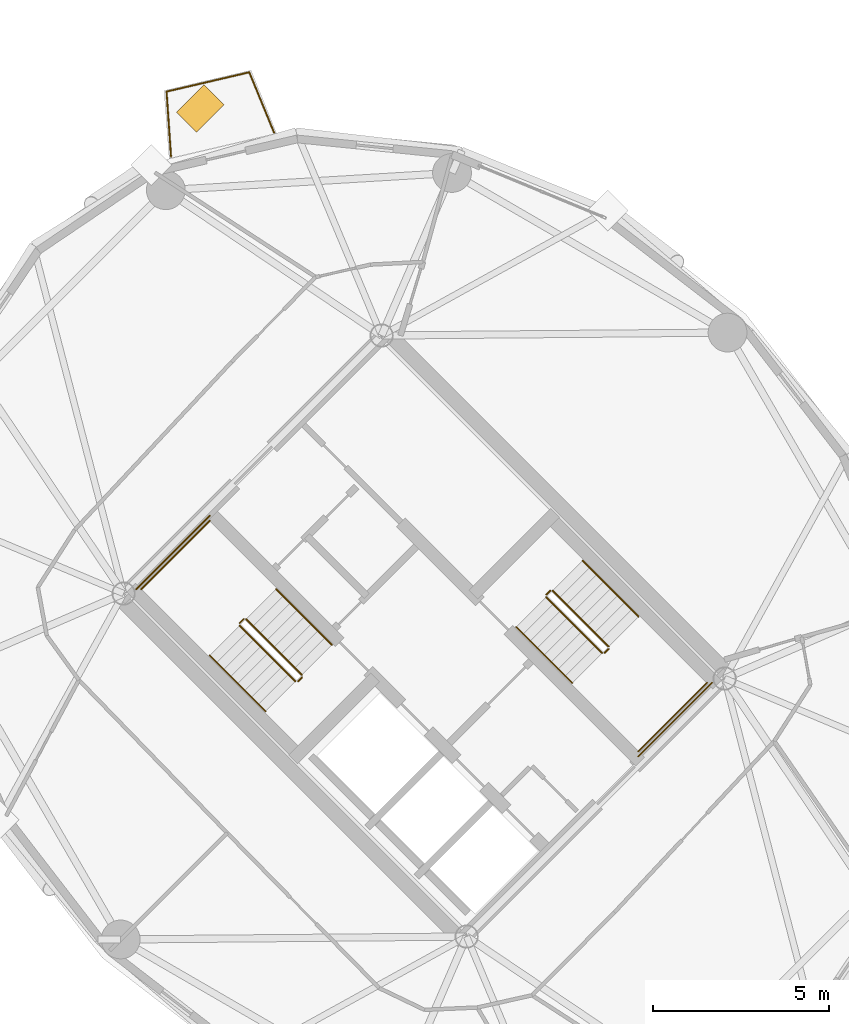
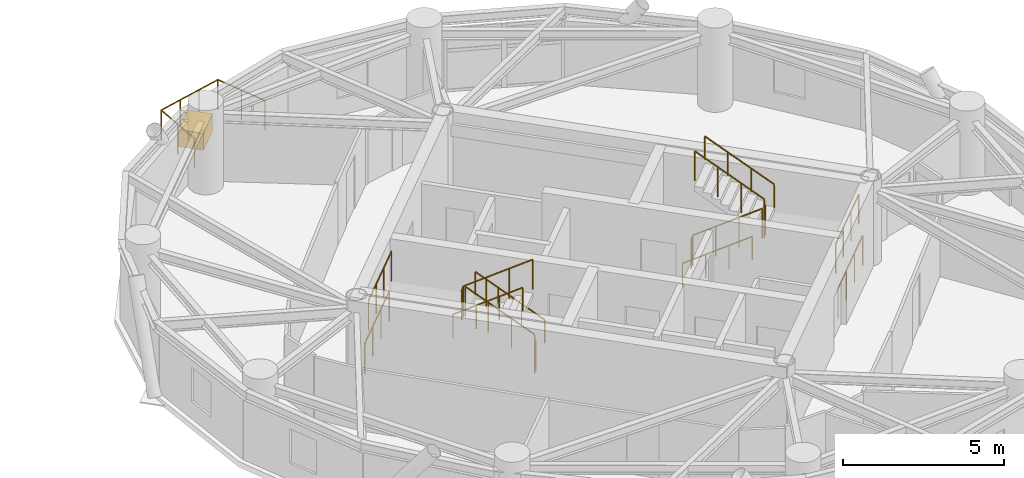
# One storey, part 14 of 15: 17 railings, 1 covering.
"""IFC4 building model written with IfcOpenShell, lengths in metres."""

from ifc_helpers import new_model, si_unit, direction, frame, origin, origin_2d, place, context, subcontext, project, spatial, rectangle, circle, extrude, source, transform, mapped, material, layer, layer_set, type_object, element, save


model = new_model("IFC4")

# Units and contexts
model_context = context("Model", 3, precision=1e-05, world=origin(), true_north=direction((0.0, 1.0)))
body_context = subcontext(model_context, "Body", "Model", "MODEL_VIEW")
ifc_project = project(units=[si_unit("LENGTHUNIT", "METRE"), si_unit("AREAUNIT", "SQUARE_METRE"), si_unit("VOLUMEUNIT", "CUBIC_METRE"), si_unit("PLANEANGLEUNIT", "RADIAN"), si_unit("MASSUNIT", "GRAM", prefix="KILO")], contexts=[model_context])

# Site, building, storey
site_placement = place(None, origin())
site = spatial("IfcSite", under=ifc_project, at=site_placement, CompositionType="ELEMENT")
building_placement = place(site_placement, origin())
building = spatial("IfcBuilding", under=site, at=building_placement, Name="Cununo Teusaquillo Station Towers", CompositionType="ELEMENT")
storey_placement = place(building_placement, frame((0.0, 0.0, 232.449951171875)))
storey = spatial("IfcBuildingStorey", under=building, at=storey_placement, Name="L74", CompositionType="ELEMENT", Elevation=232.449951171875)

# Railings
ifc_material_1 = material(Name="Anodised dark bronze aluminium EN AW-6063-T6", Category="aluminium")
railing_type_1 = type_object("IfcRailingType", Name="RL-EXT-GUARD", PredefinedType="GUARDRAIL", material=ifc_material_1)
railing_1_placement = place(storey_placement, frame((50.320556640625, 38.0986328125, 0.0)))
element("IfcRailing", 1, at=railing_1_placement, inside=storey, type_object=railing_type_1, Name="L74 Tower B Balcony Guardrail C03", PredefinedType="GUARDRAIL", context=body_context, shape_type="SweptSolid", body=[
    extrude(circle(Radius=0.02392578125, at=origin_2d()), frame((0.0, 0.0, 1.1259765625), z_axis=(-0.068657089116, 0.997640318007, 0.0), x_axis=(-0.997640318007, -0.068657089116, 0.0)), (0.0, 0.0, 1.0), 1.84912109375),
    extrude(circle(Radius=0.02392578125, at=origin_2d()), frame((-0.126953125, 1.8447265625, 1.1259765625), z_axis=(0.973841956979, 0.227226413139, 0.0), x_axis=(-0.227226413139, 0.973841956979, 0.0)), (0.0, 0.0, 1.0), 2.409912109375),
    extrude(circle(Radius=0.02392578125, at=origin_2d()), frame((2.219970703125, 2.392333984375, 1.1259765625), z_axis=(0.379912800848, -0.925022304462, 0.0), x_axis=(0.925022304462, 0.379912800848, 0.0)), (0.0, 0.0, 1.0), 1.848876953125),
    extrude(circle(Radius=0.02099609375, at=origin_2d()), origin(), (0.0, 0.0, 1.0), 1.101806640625),
    extrude(circle(Radius=0.02099609375, at=origin_2d()), frame((-0.0634765625, 0.92236328125, 0.0)), (0.0, 0.0, 1.0), 1.101806640625),
    extrude(circle(Radius=0.02099609375, at=origin_2d()), frame((-0.126953125, 1.8447265625, 0.0)), (0.0, 0.0, 1.0), 1.101806640625),
    extrude(circle(Radius=0.02099609375, at=origin_2d()), frame((0.6552734375, 2.02734375, 0.0)), (0.0, 0.0, 1.0), 1.101806640625),
    extrude(circle(Radius=0.02099609375, at=origin_2d()), frame((1.437744140625, 2.209716796875, 0.0)), (0.0, 0.0, 1.0), 1.101806640625),
    extrude(circle(Radius=0.02099609375, at=origin_2d()), frame((2.219970703125, 2.392333984375, 0.0)), (0.0, 0.0, 1.0), 1.101806640625),
    extrude(circle(Radius=0.02099609375, at=origin_2d()), frame((2.5712890625, 1.537109375, 0.0)), (0.0, 0.0, 1.0), 1.101806640625),
    extrude(circle(Radius=0.02099609375, at=origin_2d()), frame((2.92236328125, 0.68212890625, 0.0)), (0.0, 0.0, 1.0), 1.101806640625),
])
ifc_material_2 = material(Name="Steel EN 10025-2 S355J2", Category="steel")
railing_type_2 = type_object("IfcRailingType", Name="RL-INT-GUARD", PredefinedType="GUARDRAIL", material=ifc_material_2)
railing_2_placement = place(storey_placement, frame((54.03515625, 23.39697265625, 0.177734375)))
element("IfcRailing", 2, at=railing_2_placement, inside=storey, type_object=railing_type_2, Name="L74 ST-T2-1 stair guard 1", PredefinedType="GUARDRAIL", context=body_context, shape_type="SweptSolid", body=[
    extrude(circle(Radius=0.02392578125, at=origin_2d()), frame((0.0, 0.0, 1.1259765625), z_axis=(-0.596912214206, 0.596912214206, 0.536089187601), x_axis=(-0.707106781187, -0.707106781187, 0.0)), (0.0, 0.0, 1.0), 2.6533203125),
    extrude(circle(Radius=0.02099609375, at=origin_2d()), origin(), (0.0, 0.0, 1.0), 1.101806640625),
    extrude(circle(Radius=0.02099609375, at=origin_2d()), frame((-0.52783203125, 0.52783203125, 0.47412109375)), (0.0, 0.0, 1.0), 1.101806640625),
    extrude(circle(Radius=0.02099609375, at=origin_2d()), frame((-1.055908203125, 1.055908203125, 0.9482421875)), (0.0, 0.0, 1.0), 1.101806640625),
    extrude(circle(Radius=0.02099609375, at=origin_2d()), frame((-1.583740234375, 1.583740234375, 1.42236328125)), (0.0, 0.0, 1.0), 1.101806640625),
])
railing_3_placement = place(storey_placement, frame((52.380615234375, 24.980712890625, 1.60009765625)))
element("IfcRailing", 3, at=railing_3_placement, inside=storey, type_object=railing_type_2, Name="L74 ST-T2-1 stair guard 2", PredefinedType="GUARDRAIL", context=body_context, shape_type="SweptSolid", body=[
    extrude(circle(Radius=0.02392578125, at=origin_2d()), frame((0.0, 0.0, 1.1259765625), z_axis=(-0.7078691598, -0.706343579714, 0.0), x_axis=(0.706343579714, -0.7078691598, 0.0)), (0.0, 0.0, 1.0), 0.159912109375),
    extrude(circle(Radius=0.02099609375, at=origin_2d()), origin(), (0.0, 0.0, 1.0), 1.101806640625),
    extrude(circle(Radius=0.02099609375, at=origin_2d()), frame((-0.11328125, -0.113037109375, 0.0)), (0.0, 0.0, 1.0), 1.101806640625),
])
railing_4_placement = place(storey_placement, frame((51.426025390625, 27.77392578125, 1.60009765625)))
element("IfcRailing", 4, at=railing_4_placement, inside=storey, type_object=railing_type_2, Name="L74 ST-T2-1 stair guard 3", PredefinedType="GUARDRAIL", context=body_context, shape_type="SweptSolid", body=[
    extrude(circle(Radius=0.02392578125, at=origin_2d()), frame((0.0, 0.0, 1.1259765625), z_axis=(-0.707106781187, -0.707106781187, 0.0), x_axis=(0.707106781187, -0.707106781187, 0.0)), (0.0, 0.0, 1.0), 2.760009765625),
    extrude(circle(Radius=0.02099609375, at=origin_2d()), origin(), (0.0, 0.0, 1.0), 1.101806640625),
    extrude(circle(Radius=0.02099609375, at=origin_2d()), frame((-0.650634765625, -0.650634765625, 0.0)), (0.0, 0.0, 1.0), 1.101806640625),
    extrude(circle(Radius=0.02099609375, at=origin_2d()), frame((-1.301025390625, -1.301025390625, 0.0)), (0.0, 0.0, 1.0), 1.101806640625),
    extrude(circle(Radius=0.02099609375, at=origin_2d()), frame((-1.95166015625, -1.95166015625, 0.0)), (0.0, 0.0, 1.0), 1.101806640625),
])
railing_5_placement = place(storey_placement, frame((52.267333984375, 24.796875, 1.77783203125)))
element("IfcRailing", 5, at=railing_5_placement, inside=storey, type_object=railing_type_2, Name="L74 ST-T2-1 stair guard 4", PredefinedType="GUARDRAIL", context=body_context, shape_type="SweptSolid", body=[
    extrude(circle(Radius=0.02392578125, at=origin_2d()), frame((0.0, 0.0, 1.1259765625), z_axis=(0.597000884588, -0.596908868422, 0.535994166573), x_axis=(0.707052281454, 0.707161276719, 0.0)), (0.0, 0.0, 1.0), 2.6533203125),
    extrude(circle(Radius=0.02099609375, at=origin_2d()), origin(), (0.0, 0.0, 1.0), 1.101806640625),
    extrude(circle(Radius=0.02099609375, at=origin_2d()), frame((0.528076171875, -0.52783203125, 0.47412109375)), (0.0, 0.0, 1.0), 1.101806640625),
    extrude(circle(Radius=0.02099609375, at=origin_2d()), frame((1.055908203125, -1.055908203125, 0.947998046875)), (0.0, 0.0, 1.0), 1.101806640625),
    extrude(circle(Radius=0.02099609375, at=origin_2d()), frame((1.583984375, -1.583740234375, 1.422119140625)), (0.0, 0.0, 1.0), 1.101806640625),
])
railing_6_placement = place(storey_placement, frame((54.03515625, 23.326171875, 0.0)))
element("IfcRailing", 6, at=railing_6_placement, inside=storey, type_object=railing_type_2, Name="L74 ST-T2-1 stair guard 5", PredefinedType="GUARDRAIL", context=body_context, shape_type="SweptSolid", body=[
    extrude(circle(Radius=0.02392578125, at=origin_2d()), frame((0.0, 0.0, 1.1259765625), z_axis=(-0.707106781187, -0.707106781187, 0.0), x_axis=(0.707106781187, -0.707106781187, 0.0)), (0.0, 0.0, 1.0), 0.159912109375),
    extrude(circle(Radius=0.02099609375, at=origin_2d()), origin(), (0.0, 0.0, 1.0), 1.101806640625),
    extrude(circle(Radius=0.02099609375, at=origin_2d()), frame((-0.113037109375, -0.113037109375, 0.0)), (0.0, 0.0, 1.0), 1.101806640625),
])
railing_7_placement = place(storey_placement, frame((51.426025390625, 27.915283203125, 0.0)))
element("IfcRailing", 7, at=railing_7_placement, inside=storey, type_object=railing_type_2, Name="L74 ST-T2-1 stair guard 6", PredefinedType="GUARDRAIL", context=body_context, shape_type="SweptSolid", body=[
    extrude(circle(Radius=0.02392578125, at=origin_2d()), frame((0.0, 0.0, 1.1259765625), z_axis=(-0.707106781187, -0.707106781187, 0.0), x_axis=(0.707106781187, -0.707106781187, 0.0)), (0.0, 0.0, 1.0), 2.9599609375),
    extrude(circle(Radius=0.02099609375, at=origin_2d()), origin(), (0.0, 0.0, 1.0), 1.101806640625),
    extrude(circle(Radius=0.02099609375, at=origin_2d()), frame((-0.69775390625, -0.69775390625, 0.0)), (0.0, 0.0, 1.0), 1.101806640625),
    extrude(circle(Radius=0.02099609375, at=origin_2d()), frame((-1.395263671875, -1.395263671875, 0.0)), (0.0, 0.0, 1.0), 1.101806640625),
    extrude(circle(Radius=0.02099609375, at=origin_2d()), frame((-2.093017578125, -2.093017578125, 0.0)), (0.0, 0.0, 1.0), 1.101806640625),
])
railing_8_placement = place(storey_placement, frame((60.96484375, 25.60302734375, 0.177734375)))
element("IfcRailing", 8, at=railing_8_placement, inside=storey, type_object=railing_type_2, Name="L74 ST-T2-2 stair guard 1", PredefinedType="GUARDRAIL", context=body_context, shape_type="SweptSolid", body=[
    extrude(circle(Radius=0.02392578125, at=origin_2d()), frame((0.0, 0.0, 1.1259765625), z_axis=(0.596912214206, -0.596912214206, 0.536089187601), x_axis=(0.707106781187, 0.707106781187, 0.0)), (0.0, 0.0, 1.0), 2.6533203125),
    extrude(circle(Radius=0.02099609375, at=origin_2d()), origin(), (0.0, 0.0, 1.0), 1.101806640625),
    extrude(circle(Radius=0.02099609375, at=origin_2d()), frame((0.52783203125, -0.52783203125, 0.47412109375)), (0.0, 0.0, 1.0), 1.101806640625),
    extrude(circle(Radius=0.02099609375, at=origin_2d()), frame((1.055908203125, -1.055908203125, 0.9482421875)), (0.0, 0.0, 1.0), 1.101806640625),
    extrude(circle(Radius=0.02099609375, at=origin_2d()), frame((1.583740234375, -1.583740234375, 1.42236328125)), (0.0, 0.0, 1.0), 1.101806640625),
])
railing_9_placement = place(storey_placement, frame((62.619384765625, 24.019287109375, 1.60009765625)))
element("IfcRailing", 9, at=railing_9_placement, inside=storey, type_object=railing_type_2, Name="L74 ST-T2-2 stair guard 2", PredefinedType="GUARDRAIL", context=body_context, shape_type="SweptSolid", body=[
    extrude(circle(Radius=0.02392578125, at=origin_2d()), frame((0.0, 0.0, 1.1259765625), z_axis=(0.7078691598, 0.706343579714, 0.0), x_axis=(-0.706343579714, 0.7078691598, 0.0)), (0.0, 0.0, 1.0), 0.159912109375),
    extrude(circle(Radius=0.02099609375, at=origin_2d()), origin(), (0.0, 0.0, 1.0), 1.101806640625),
    extrude(circle(Radius=0.02099609375, at=origin_2d()), frame((0.11328125, 0.113037109375, 0.0)), (0.0, 0.0, 1.0), 1.101806640625),
])
railing_10_placement = place(storey_placement, frame((63.573974609375, 21.22607421875, 1.60009765625)))
element("IfcRailing", 10, at=railing_10_placement, inside=storey, type_object=railing_type_2, Name="L74 ST-T2-2 stair guard 3", PredefinedType="GUARDRAIL", context=body_context, shape_type="SweptSolid", body=[
    extrude(circle(Radius=0.02392578125, at=origin_2d()), frame((0.0, 0.0, 1.1259765625), z_axis=(0.707106781187, 0.707106781187, 0.0), x_axis=(-0.707106781187, 0.707106781187, 0.0)), (0.0, 0.0, 1.0), 2.760009765625),
    extrude(circle(Radius=0.02099609375, at=origin_2d()), origin(), (0.0, 0.0, 1.0), 1.101806640625),
    extrude(circle(Radius=0.02099609375, at=origin_2d()), frame((0.650634765625, 0.650634765625, 0.0)), (0.0, 0.0, 1.0), 1.101806640625),
    extrude(circle(Radius=0.02099609375, at=origin_2d()), frame((1.301025390625, 1.301025390625, 0.0)), (0.0, 0.0, 1.0), 1.101806640625),
    extrude(circle(Radius=0.02099609375, at=origin_2d()), frame((1.95166015625, 1.95166015625, 0.0)), (0.0, 0.0, 1.0), 1.101806640625),
])
railing_11_placement = place(storey_placement, frame((62.732666015625, 24.203125, 1.77783203125)))
element("IfcRailing", 11, at=railing_11_placement, inside=storey, type_object=railing_type_2, Name="L74 ST-T2-2 stair guard 4", PredefinedType="GUARDRAIL", context=body_context, shape_type="SweptSolid", body=[
    extrude(circle(Radius=0.02392578125, at=origin_2d()), frame((0.0, 0.0, 1.1259765625), z_axis=(-0.597000884588, 0.596908868422, 0.535994166573), x_axis=(-0.707052281454, -0.707161276719, 0.0)), (0.0, 0.0, 1.0), 2.6533203125),
    extrude(circle(Radius=0.02099609375, at=origin_2d()), origin(), (0.0, 0.0, 1.0), 1.101806640625),
    extrude(circle(Radius=0.02099609375, at=origin_2d()), frame((-0.528076171875, 0.52783203125, 0.47412109375)), (0.0, 0.0, 1.0), 1.101806640625),
    extrude(circle(Radius=0.02099609375, at=origin_2d()), frame((-1.055908203125, 1.055908203125, 0.947998046875)), (0.0, 0.0, 1.0), 1.101806640625),
    extrude(circle(Radius=0.02099609375, at=origin_2d()), frame((-1.583984375, 1.583740234375, 1.422119140625)), (0.0, 0.0, 1.0), 1.101806640625),
])
railing_12_placement = place(storey_placement, frame((60.96484375, 25.673828125, 0.0)))
element("IfcRailing", 12, at=railing_12_placement, inside=storey, type_object=railing_type_2, Name="L74 ST-T2-2 stair guard 5", PredefinedType="GUARDRAIL", context=body_context, shape_type="SweptSolid", body=[
    extrude(circle(Radius=0.02392578125, at=origin_2d()), frame((0.0, 0.0, 1.1259765625), z_axis=(0.707106781187, 0.707106781187, 0.0), x_axis=(-0.707106781187, 0.707106781187, 0.0)), (0.0, 0.0, 1.0), 0.159912109375),
    extrude(circle(Radius=0.02099609375, at=origin_2d()), origin(), (0.0, 0.0, 1.0), 1.101806640625),
    extrude(circle(Radius=0.02099609375, at=origin_2d()), frame((0.113037109375, 0.113037109375, 0.0)), (0.0, 0.0, 1.0), 1.101806640625),
])
railing_13_placement = place(storey_placement, frame((63.573974609375, 21.084716796875, 0.0)))
element("IfcRailing", 13, at=railing_13_placement, inside=storey, type_object=railing_type_2, Name="L74 ST-T2-2 stair guard 6", PredefinedType="GUARDRAIL", context=body_context, shape_type="SweptSolid", body=[
    extrude(circle(Radius=0.02392578125, at=origin_2d()), frame((0.0, 0.0, 1.1259765625), z_axis=(0.707106781187, 0.707106781187, 0.0), x_axis=(-0.707106781187, 0.707106781187, 0.0)), (0.0, 0.0, 1.0), 2.9599609375),
    extrude(circle(Radius=0.02099609375, at=origin_2d()), origin(), (0.0, 0.0, 1.0), 1.101806640625),
    extrude(circle(Radius=0.02099609375, at=origin_2d()), frame((0.69775390625, 0.69775390625, 0.0)), (0.0, 0.0, 1.0), 1.101806640625),
    extrude(circle(Radius=0.02099609375, at=origin_2d()), frame((1.395263671875, 1.395263671875, 0.0)), (0.0, 0.0, 1.0), 1.101806640625),
    extrude(circle(Radius=0.02099609375, at=origin_2d()), frame((2.093017578125, 2.093017578125, 0.0)), (0.0, 0.0, 1.0), 1.101806640625),
])
ifc_material_3 = material(Name="Steel EN 10025-2 S355J2", Category="steel")
railing_type_3 = type_object("IfcRailingType", Name="RL-INT-HRAIL", PredefinedType="HANDRAIL", material=ifc_material_3)
railing_14_placement = place(storey_placement, frame((54.8837890625, 24.245361328125, 0.177734375)))
element("IfcRailing", 14, at=railing_14_placement, inside=storey, type_object=railing_type_3, Name="L74 ST-T2-1 stair handrail 1", PredefinedType="HANDRAIL", context=body_context, shape_type="SweptSolid", body=[
    extrude(circle(Radius=0.02392578125, at=origin_2d()), frame((0.0, 0.0, 0.8759765625), z_axis=(-0.596938654672, 0.596938654672, 0.536030302423), x_axis=(-0.707106781187, -0.707106781187, 0.0)), (0.0, 0.0, 1.0), 2.653564453125),
    extrude(circle(Radius=0.02099609375, at=origin_2d()), origin(), (0.0, 0.0, 1.0), 0.851806640625),
    extrude(circle(Radius=0.02099609375, at=origin_2d()), frame((-0.528076171875, 0.528076171875, 0.47412109375)), (0.0, 0.0, 1.0), 0.851806640625),
    extrude(circle(Radius=0.02099609375, at=origin_2d()), frame((-1.055908203125, 1.055908203125, 0.9482421875)), (0.0, 0.0, 1.0), 0.851806640625),
    extrude(circle(Radius=0.02099609375, at=origin_2d()), frame((-1.583984375, 1.583984375, 1.42236328125)), (0.0, 0.0, 1.0), 0.851806640625),
])
railing_15_placement = place(storey_placement, frame((51.4189453125, 23.948486328125, 1.77783203125)))
element("IfcRailing", 15, at=railing_15_placement, inside=storey, type_object=railing_type_3, Name="L74 ST-T2-1 stair handrail 2", PredefinedType="HANDRAIL", context=body_context, shape_type="SweptSolid", body=[
    extrude(circle(Radius=0.02392578125, at=origin_2d()), frame((0.0, 0.0, 0.8759765625), z_axis=(0.59696809433, -0.59696809433, 0.535964727108), x_axis=(0.707106781187, 0.707106781187, 0.0)), (0.0, 0.0, 1.0), 2.6533203125),
    extrude(circle(Radius=0.02099609375, at=origin_2d()), origin(), (0.0, 0.0, 1.0), 0.851806640625),
    extrude(circle(Radius=0.02099609375, at=origin_2d()), frame((0.528076171875, -0.528076171875, 0.47412109375)), (0.0, 0.0, 1.0), 0.851806640625),
    extrude(circle(Radius=0.02099609375, at=origin_2d()), frame((1.055908203125, -1.055908203125, 0.947998046875)), (0.0, 0.0, 1.0), 0.851806640625),
    extrude(circle(Radius=0.02099609375, at=origin_2d()), frame((1.583984375, -1.583984375, 1.422119140625)), (0.0, 0.0, 1.0), 0.851806640625),
])
railing_16_placement = place(storey_placement, frame((60.1162109375, 24.754638671875, 0.177734375)))
element("IfcRailing", 16, at=railing_16_placement, inside=storey, type_object=railing_type_3, Name="L74 ST-T2-2 stair handrail 1", PredefinedType="HANDRAIL", context=body_context, shape_type="SweptSolid", body=[
    extrude(circle(Radius=0.02392578125, at=origin_2d()), frame((0.0, 0.0, 0.8759765625), z_axis=(0.596938654672, -0.596938654672, 0.536030302423), x_axis=(0.707106781187, 0.707106781187, 0.0)), (0.0, 0.0, 1.0), 2.653564453125),
    extrude(circle(Radius=0.02099609375, at=origin_2d()), origin(), (0.0, 0.0, 1.0), 0.851806640625),
    extrude(circle(Radius=0.02099609375, at=origin_2d()), frame((0.528076171875, -0.528076171875, 0.47412109375)), (0.0, 0.0, 1.0), 0.851806640625),
    extrude(circle(Radius=0.02099609375, at=origin_2d()), frame((1.055908203125, -1.055908203125, 0.9482421875)), (0.0, 0.0, 1.0), 0.851806640625),
    extrude(circle(Radius=0.02099609375, at=origin_2d()), frame((1.583984375, -1.583984375, 1.42236328125)), (0.0, 0.0, 1.0), 0.851806640625),
])
railing_17_placement = place(storey_placement, frame((63.5810546875, 25.051513671875, 1.77783203125)))
element("IfcRailing", 17, at=railing_17_placement, inside=storey, type_object=railing_type_3, Name="L74 ST-T2-2 stair handrail 2", PredefinedType="HANDRAIL", context=body_context, shape_type="SweptSolid", body=[
    extrude(circle(Radius=0.02392578125, at=origin_2d()), frame((0.0, 0.0, 0.8759765625), z_axis=(-0.59696809433, 0.59696809433, 0.535964727108), x_axis=(-0.707106781187, -0.707106781187, 0.0)), (0.0, 0.0, 1.0), 2.6533203125),
    extrude(circle(Radius=0.02099609375, at=origin_2d()), origin(), (0.0, 0.0, 1.0), 0.851806640625),
    extrude(circle(Radius=0.02099609375, at=origin_2d()), frame((-0.528076171875, 0.528076171875, 0.47412109375)), (0.0, 0.0, 1.0), 0.851806640625),
    extrude(circle(Radius=0.02099609375, at=origin_2d()), frame((-1.055908203125, 1.055908203125, 0.947998046875)), (0.0, 0.0, 1.0), 0.851806640625),
    extrude(circle(Radius=0.02099609375, at=origin_2d()), frame((-1.583984375, 1.583984375, 1.422119140625)), (0.0, 0.0, 1.0), 0.851806640625),
])

# Covering
ifc_material_4 = material(Name="Architectural GRC planter shell and engineered root-zone substrate", Category="concrete")
ifc_layer = layer(ifc_material_4, 0.64990234375)
ifc_layer_set = layer_set([ifc_layer], Name="Architectural GRC planter shell and engineered root-zone substrate")
covering_type = type_object("IfcCoveringType", Name="COV-TREE-PLANTER", PredefinedType="CLADDING", material=ifc_layer_set)
shared_shape = source(origin(), body_context, "Body", "SweptSolid", [
    extrude(rectangle(XDim=1.10009765625, YDim=0.800048828125, at=origin_2d()), origin(), (0.0, 0.0, 1.0), 0.64990234375),
])
covering_placement = place(storey_placement, frame((51.147705078125, 39.46240234375, 0.0), z_axis=(0.0, 0.0, 1.0), x_axis=(0.707106781187, 0.707106781187, 0.0)))
element("IfcCovering", 18, at=covering_placement, inside=storey, type_object=covering_type, Name="L74 Tower B Balcony Tree PLANTER C03", PredefinedType="CLADDING", context=body_context, shape_type="MappedRepresentation", body=[
    mapped(shared_shape, transform((0.0, 0.0, 0.0), x_axis=(1.0, 0.0, 0.0), y_axis=(0.0, 1.0, 0.0), z_axis=(0.0, 0.0, 1.0), scale=1.0)),
])

save(model, "model.ifc")
